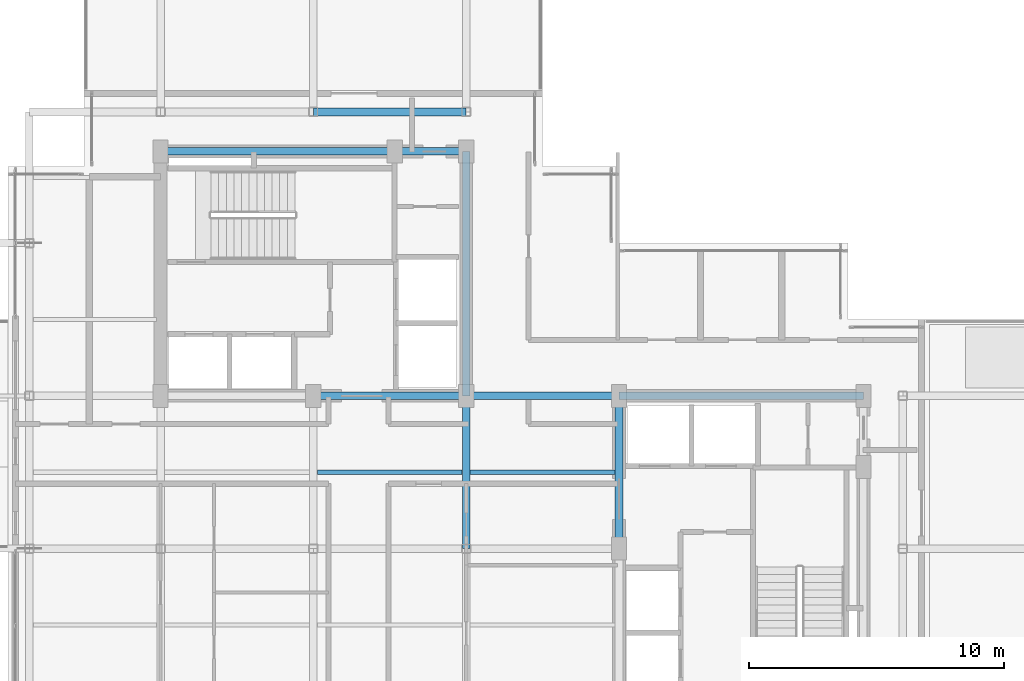
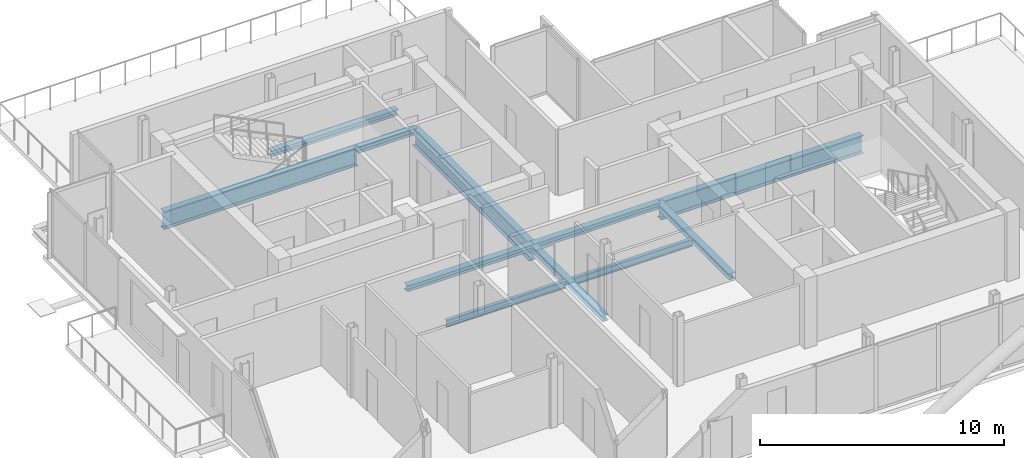
# One storey, part 9 of 19: 11 beams.
"""IFC4 building model written with IfcOpenShell, lengths in metres."""

from ifc_helpers import new_model, si_unit, direction, frame, origin, origin_2d, place, context, subcontext, project, spatial, i_section, extrude, material, material_profile, profile_set, type_object, element, save


model = new_model("IFC4")

# Units and contexts
model_context = context("Model", 3, precision=1e-05, world=origin(), true_north=direction((0.0, 1.0)))
body_context = subcontext(model_context, "Body", "Model", "MODEL_VIEW")
ifc_project = project(units=[si_unit("LENGTHUNIT", "METRE"), si_unit("AREAUNIT", "SQUARE_METRE"), si_unit("VOLUMEUNIT", "CUBIC_METRE"), si_unit("PLANEANGLEUNIT", "RADIAN"), si_unit("MASSUNIT", "GRAM", prefix="KILO"), si_unit("THERMODYNAMICTEMPERATUREUNIT", "KELVIN"), si_unit("POWERUNIT", "WATT")], contexts=[model_context])

# Site, building, storey
site_placement = place(None, origin())
site = spatial("IfcSite", under=ifc_project, at=site_placement, CompositionType="ELEMENT")
building_placement = place(site_placement, origin())
building = spatial("IfcBuilding", under=site, at=building_placement, Name="Svarakhadi Broadcast Tower", CompositionType="ELEMENT")
storey_placement = place(building_placement, frame((0.0, 0.0, 239.699951171875)))
storey = spatial("IfcBuildingStorey", under=building, at=storey_placement, Name="L59", CompositionType="ELEMENT", Elevation=239.699951171875)

# Beams
ifc_material_1 = material(Name="Steel S355J2 (IS 2062 E350C)", Category="steel")
ifc_material_profile_1 = material_profile(ifc_material_1, i_section(OverallWidth=0.169921875, OverallDepth=0.360107421875, WebThickness=0.008056640625, FlangeThickness=0.0126953125, FilletRadius=0.01806640625, at=origin_2d()), Name="NPB 360x170x57")
ifc_profile_set_1 = profile_set([ifc_material_profile_1], Name="Steel S355J2 (IS 2062 E350C)")
beam_type_1 = type_object("IfcBeamType", Name="Beam_NPB360", PredefinedType="BEAM", material=ifc_profile_set_1)
for number, where, z_axis, x_axis, name in (
    (1, (12.159912109375, 15.0, -0.3798828125), (1.0, 0.0, 0.0), (0.0, 1.0, 0.0), "L59 Secondary Composite Beam SB010"),
    (2, (18.159912109375, 15.0, -0.3798828125), (1.0, 0.0, 0.0), (0.0, 1.0, 0.0), "L59 Secondary Composite Beam SB013"),
):
    element("IfcBeam", number, at=place(storey_placement, frame(where, z_axis=z_axis, x_axis=x_axis)), inside=storey, type_object=beam_type_1, Name=name, PredefinedType="BEAM", context=body_context, shape_type="SweptSolid", body=[
        extrude(i_section(OverallWidth=0.169921875, OverallDepth=0.360107421875, WebThickness=0.008056640625, FlangeThickness=0.0126953125, FilletRadius=0.01806640625, at=origin_2d()), origin(), (0.0, 0.0, 1.0), 5.68017578125),
    ])
ifc_material_profile_2 = material_profile(ifc_material_1, i_section(OverallWidth=0.300048828125, OverallDepth=0.300048828125, WebThickness=0.010986328125, FlangeThickness=0.01904296875, FilletRadius=0.027099609375, at=origin_2d()), Name="WPB 300x300x117")
ifc_profile_set_2 = profile_set([ifc_material_profile_2], Name="Steel S355J2 (IS 2062 E350C)")
beam_type_2 = type_object("IfcBeamType", Name="Girder_WPB300", PredefinedType="USERDEFINED", material=ifc_profile_set_2)
for number, where, z_axis, x_axis, name in (
    (3, (12.0, 18.0, -0.349853515625), (1.0, 0.0, 0.0), (0.0, 1.0, 0.0), "L59 Primary E-W Girder G020"),
    (4, (18.0, 18.0, -0.349853515625), (1.0, 0.0, 0.0), (0.0, 1.0, 0.0), "L59 Primary E-W Girder G021"),
):
    element("IfcBeam", number, at=place(storey_placement, frame(where, z_axis=z_axis, x_axis=x_axis)), inside=storey, type_object=beam_type_2, Name=name, ObjectType="GIRDER", PredefinedType="USERDEFINED", context=body_context, shape_type="SweptSolid", body=[
        extrude(i_section(OverallWidth=0.300048828125, OverallDepth=0.300048828125, WebThickness=0.010986328125, FlangeThickness=0.01904296875, FilletRadius=0.027099609375, at=origin_2d()), origin(), (0.0, 0.0, 1.0), 6.0),
    ])
beam_1_placement = place(storey_placement, frame((15.199951171875, 27.60009765625, -0.349853515625), z_axis=(1.0, 0.0, 0.0), x_axis=(0.0, 1.0, 0.0)))
element("IfcBeam", 5, at=beam_1_placement, inside=storey, type_object=beam_type_2, Name="L59 Primary E-W Girder G024", ObjectType="GIRDER", PredefinedType="USERDEFINED", context=body_context, shape_type="SweptSolid", body=[
    extrude(i_section(OverallWidth=0.300048828125, OverallDepth=0.300048828125, WebThickness=0.010986328125, FlangeThickness=0.01904296875, FilletRadius=0.027099609375, at=origin_2d()), origin(), (0.0, 0.0, 1.0), 2.800048828125),
])
for number, where, z_axis, x_axis, name in (
    (6, (12.0, 29.14990234375, -0.349853515625), (1.0, 0.0, 0.0), (0.0, 1.0, 0.0), "L59 Primary E-W Girder G027"),
    (7, (18.0, 12.0, -0.349853515625), (0.0, 1.0, 0.0), (-1.0, 0.0, 0.0), "L59 Primary N-S Girder G041"),
    (8, (24.0, 12.0, -0.349853515625), (0.0, 1.0, 0.0), (-1.0, 0.0, 0.0), "L59 Primary N-S Girder G045"),
):
    element("IfcBeam", number, at=place(storey_placement, frame(where, z_axis=z_axis, x_axis=x_axis)), inside=storey, type_object=beam_type_2, Name=name, ObjectType="GIRDER", PredefinedType="USERDEFINED", context=body_context, shape_type="SweptSolid", body=[
        extrude(i_section(OverallWidth=0.300048828125, OverallDepth=0.300048828125, WebThickness=0.010986328125, FlangeThickness=0.01904296875, FilletRadius=0.027099609375, at=origin_2d()), origin(), (0.0, 0.0, 1.0), 6.0),
    ])
ifc_material_2 = material(Name="Steel S460ML (IS 2062 E450BR)", Category="steel")
ifc_material_profile_3 = material_profile(ifc_material_2, i_section(OverallWidth=0.300048828125, OverallDepth=0.89990234375, WebThickness=0.0185546875, FlangeThickness=0.034912109375, FilletRadius=0.030029296875, at=origin_2d()), Name="WPB 900x300x291")
ifc_profile_set_3 = profile_set([ifc_material_profile_3], Name="Steel S460ML (IS 2062 E450BR)")
beam_type_3 = type_object("IfcBeamType", Name="Girder_WPB900", PredefinedType="USERDEFINED", material=ifc_profile_set_3)
beam_2_placement = place(storey_placement, frame((24.0, 18.0, -0.64990234375), z_axis=(1.0, 0.0, 0.0), x_axis=(0.0, 1.0, 0.0)))
element("IfcBeam", 9, at=beam_2_placement, inside=storey, type_object=beam_type_3, Name="L59 Primary E-W Girder G022", ObjectType="GIRDER", PredefinedType="USERDEFINED", context=body_context, shape_type="SweptSolid", body=[
    extrude(i_section(OverallWidth=0.300048828125, OverallDepth=0.89990234375, WebThickness=0.0185546875, FlangeThickness=0.034912109375, FilletRadius=0.030029296875, at=origin_2d()), origin(), (0.0, 0.0, 1.0), 9.60009765625),
])
beam_3_placement = place(storey_placement, frame((6.0, 27.60009765625, -0.64990234375), z_axis=(1.0, 0.0, 0.0), x_axis=(0.0, 1.0, 0.0)))
element("IfcBeam", 10, at=beam_3_placement, inside=storey, type_object=beam_type_3, Name="L59 Primary E-W Girder G023", ObjectType="GIRDER", PredefinedType="USERDEFINED", context=body_context, shape_type="SweptSolid", body=[
    extrude(i_section(OverallWidth=0.300048828125, OverallDepth=0.89990234375, WebThickness=0.0185546875, FlangeThickness=0.034912109375, FilletRadius=0.030029296875, at=origin_2d()), origin(), (0.0, 0.0, 1.0), 9.199951171875),
])
beam_4_placement = place(storey_placement, frame((18.0, 18.0, -0.64990234375), z_axis=(0.0, 1.0, 0.0), x_axis=(-1.0, 0.0, 0.0)))
element("IfcBeam", 11, at=beam_4_placement, inside=storey, type_object=beam_type_3, Name="L59 Primary N-S Girder G042", ObjectType="GIRDER", PredefinedType="USERDEFINED", context=body_context, shape_type="SweptSolid", body=[
    extrude(i_section(OverallWidth=0.300048828125, OverallDepth=0.89990234375, WebThickness=0.0185546875, FlangeThickness=0.034912109375, FilletRadius=0.030029296875, at=origin_2d()), origin(), (0.0, 0.0, 1.0), 9.60009765625),
])

save(model, "model.ifc")
